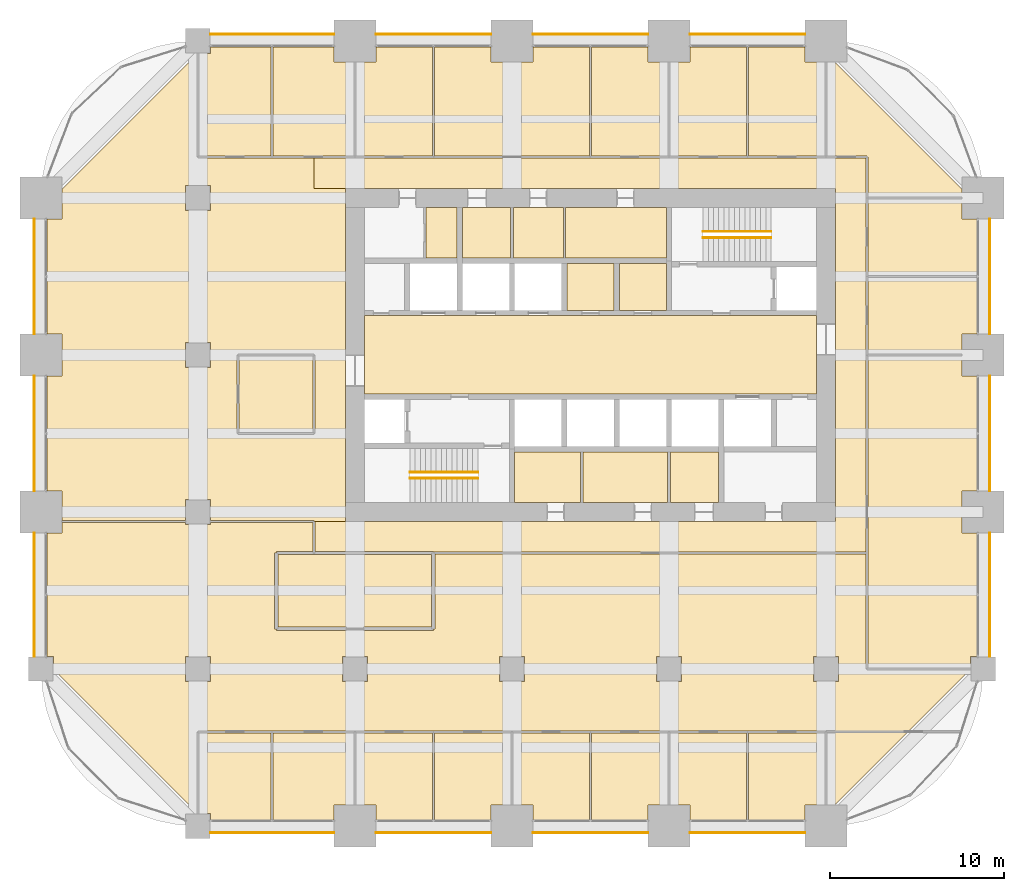
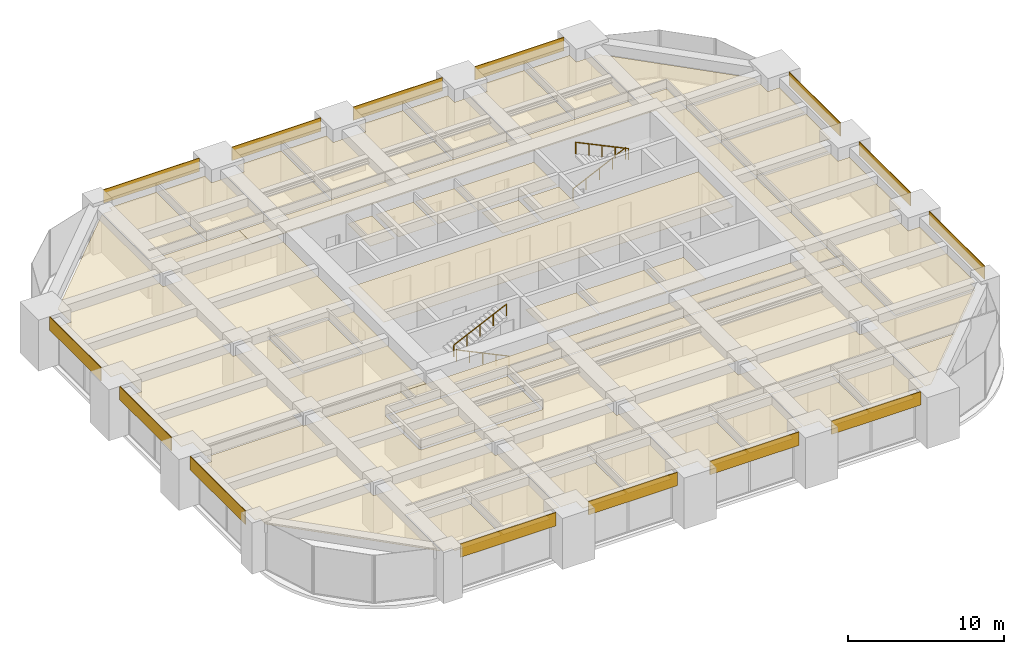
# One storey, part 33 of 33: 49 coverings, 4 railings.
"""IFC4 building model written with IfcOpenShell, lengths in metres."""

from ifc_helpers import new_model, si_unit, direction, frame, frame_2d, origin, origin_2d, place, context, subcontext, project, spatial, polyline, rectangle, circle, outline, extrude, material, layer, layer_set, type_object, element, save


model = new_model("IFC4")

# Units and contexts
model_context = context("Model", 3, precision=1e-05, world=origin(), true_north=direction((0.0, 1.0)))
body_context = subcontext(model_context, "Body", "Model", "MODEL_VIEW")
ifc_project = project(units=[si_unit("LENGTHUNIT", "METRE"), si_unit("AREAUNIT", "SQUARE_METRE"), si_unit("VOLUMEUNIT", "CUBIC_METRE"), si_unit("PLANEANGLEUNIT", "RADIAN"), si_unit("MASSUNIT", "GRAM", prefix="KILO")], contexts=[model_context])

# Site, building, storey
site_placement = place(None, origin())
site = spatial("IfcSite", under=ifc_project, at=site_placement, CompositionType="ELEMENT")
building_placement = place(site_placement, origin())
building = spatial("IfcBuilding", under=site, at=building_placement, Name="Zorevar Civic Tower", CompositionType="ELEMENT")
storey_placement = place(building_placement, frame((0.0, 0.0, 210.199951171875)))
storey = spatial("IfcBuildingStorey", under=building, at=storey_placement, Name="L51", CompositionType="ELEMENT", Elevation=210.199951171875)

# Railings
ifc_material_1 = material(Name="Black steel handrail", Category="steel")
railing_type = type_object("IfcRailingType", Name="Handrail HR1 900", PredefinedType="HANDRAIL", material=ifc_material_1)
railing_1_placement = place(storey_placement, frame((25.050048828125, 19.925048828125, 0.142822265625)))
element("IfcRailing", 1, at=railing_1_placement, inside=storey, type_object=railing_type, Name="Handrail HR1 ST1 L51", PredefinedType="HANDRAIL", context=body_context, shape_type="SweptSolid", body=[
    extrude(circle(Radius=0.02392578125, at=origin_2d()), frame((0.0, 0.0, 0.8759765625), z_axis=(-0.902863652845, 0.0, 0.429926998885), x_axis=(0.0, -1.0, 0.0)), (0.0, 0.0, 1.0), 4.31982421875),
    extrude(circle(Radius=0.02099609375, at=origin_2d()), origin(), (0.0, 0.0, 1.0), 0.851806640625),
    extrude(circle(Radius=0.02099609375, at=origin_2d()), frame((-0.97509765625, 0.0, 0.46435546875)), (0.0, 0.0, 1.0), 0.851806640625),
    extrude(circle(Radius=0.02099609375, at=origin_2d()), frame((-1.9501953125, 0.0, 0.9287109375)), (0.0, 0.0, 1.0), 0.851806640625),
    extrude(circle(Radius=0.02099609375, at=origin_2d()), frame((-2.925048828125, 0.0, 1.392822265625)), (0.0, 0.0, 1.0), 0.851806640625),
    extrude(circle(Radius=0.02099609375, at=origin_2d()), frame((-3.900146484375, 0.0, 1.857177734375)), (0.0, 0.0, 1.0), 0.851806640625),
])
for number, where, name in (
    (2, (21.14990234375, 20.27490234375, 2.142822265625), "Handrail HR1 ST1 L51"),
    (3, (37.949951171875, 34.074951171875, 0.142822265625), "Handrail HR1 ST2 L51"),
):
    element("IfcRailing", number, at=place(storey_placement, frame(where)), inside=storey, type_object=railing_type, Name=name, PredefinedType="HANDRAIL", context=body_context, shape_type="SweptSolid", body=[
        extrude(circle(Radius=0.02392578125, at=origin_2d()), frame((0.0, 0.0, 0.8759765625), z_axis=(0.902863652845, 0.0, 0.429926998885), x_axis=(0.0, 1.0, 0.0)), (0.0, 0.0, 1.0), 4.31982421875),
        extrude(circle(Radius=0.02099609375, at=origin_2d()), origin(), (0.0, 0.0, 1.0), 0.851806640625),
        extrude(circle(Radius=0.02099609375, at=origin_2d()), frame((0.97509765625, 0.0, 0.46435546875)), (0.0, 0.0, 1.0), 0.851806640625),
        extrude(circle(Radius=0.02099609375, at=origin_2d()), frame((1.9501953125, 0.0, 0.9287109375)), (0.0, 0.0, 1.0), 0.851806640625),
        extrude(circle(Radius=0.02099609375, at=origin_2d()), frame((2.925048828125, 0.0, 1.392822265625)), (0.0, 0.0, 1.0), 0.851806640625),
        extrude(circle(Radius=0.02099609375, at=origin_2d()), frame((3.900146484375, 0.0, 1.857177734375)), (0.0, 0.0, 1.0), 0.851806640625),
    ])
railing_2_placement = place(storey_placement, frame((41.85009765625, 33.72509765625, 2.142822265625)))
element("IfcRailing", 4, at=railing_2_placement, inside=storey, type_object=railing_type, Name="Handrail HR1 ST2 L51", PredefinedType="HANDRAIL", context=body_context, shape_type="SweptSolid", body=[
    extrude(circle(Radius=0.02392578125, at=origin_2d()), frame((0.0, 0.0, 0.8759765625), z_axis=(-0.902863652845, 0.0, 0.429926998885), x_axis=(0.0, -1.0, 0.0)), (0.0, 0.0, 1.0), 4.31982421875),
    extrude(circle(Radius=0.02099609375, at=origin_2d()), origin(), (0.0, 0.0, 1.0), 0.851806640625),
    extrude(circle(Radius=0.02099609375, at=origin_2d()), frame((-0.97509765625, 0.0, 0.46435546875)), (0.0, 0.0, 1.0), 0.851806640625),
    extrude(circle(Radius=0.02099609375, at=origin_2d()), frame((-1.9501953125, 0.0, 0.9287109375)), (0.0, 0.0, 1.0), 0.851806640625),
    extrude(circle(Radius=0.02099609375, at=origin_2d()), frame((-2.925048828125, 0.0, 1.392822265625)), (0.0, 0.0, 1.0), 0.851806640625),
    extrude(circle(Radius=0.02099609375, at=origin_2d()), frame((-3.900146484375, 0.0, 1.857177734375)), (0.0, 0.0, 1.0), 0.851806640625),
])

# Coverings
ifc_material_2 = material(Name="Moisture-resistant gypsum board")
ifc_layer_1 = layer(ifc_material_2, 0.012451171875)
ifc_layer_set_1 = layer_set([ifc_layer_1], Name="Moisture-resistant ceiling SC3")
covering_type_1 = type_object("IfcCoveringType", Name="Moisture-resistant ceiling SC3", PredefinedType="CEILING", material=ifc_layer_set_1)
covering_1_placement = place(storey_placement, frame((0.0, 0.0, 3.0)))
element("IfcCovering", 5, at=covering_1_placement, inside=storey, type_object=covering_type_1, Name="Ceiling L51-05", PredefinedType="CEILING", context=body_context, shape_type="SweptSolid", body=[
    extrude(outline(polyline([(30.925048828125, 18.550048828125), (30.925048828125, 21.449951171875), (27.14990234375, 21.449951171875), (27.14990234375, 18.550048828125), (30.925048828125, 18.550048828125)])), origin(), (0.0, 0.0, 1.0), 0.012451171875),
])
covering_2_placement = place(storey_placement, frame((0.0, 0.0, 3.0)))
element("IfcCovering", 6, at=covering_2_placement, inside=storey, type_object=covering_type_1, Name="Ceiling L51-06", PredefinedType="CEILING", context=body_context, shape_type="SweptSolid", body=[
    extrude(outline(polyline([(35.925048828125, 18.550048828125), (35.925048828125, 21.449951171875), (31.074951171875, 21.449951171875), (31.074951171875, 18.550048828125), (35.925048828125, 18.550048828125)])), origin(), (0.0, 0.0, 1.0), 0.012451171875),
])
covering_3_placement = place(storey_placement, frame((0.0, 0.0, 3.0)))
element("IfcCovering", 7, at=covering_3_placement, inside=storey, type_object=covering_type_1, Name="Ceiling L51-07", PredefinedType="CEILING", context=body_context, shape_type="SweptSolid", body=[
    extrude(outline(polyline([(38.85009765625, 18.550048828125), (38.85009765625, 21.449951171875), (36.074951171875, 21.449951171875), (36.074951171875, 18.550048828125), (38.85009765625, 18.550048828125)])), origin(), (0.0, 0.0, 1.0), 0.012451171875),
])
covering_4_placement = place(storey_placement, frame((0.0, 0.0, 3.0)))
element("IfcCovering", 8, at=covering_4_placement, inside=storey, type_object=covering_type_1, Name="Ceiling L51-10", PredefinedType="CEILING", context=body_context, shape_type="SweptSolid", body=[
    extrude(outline(polyline([(26.925048828125, 32.550048828125), (26.925048828125, 35.449951171875), (24.14990234375, 35.449951171875), (24.14990234375, 32.550048828125), (26.925048828125, 32.550048828125)])), origin(), (0.0, 0.0, 1.0), 0.012451171875),
])
ifc_material_3 = material(Name="Black anodised aluminium spandrel panel", Category="aluminium")
ifc_layer_2 = layer(ifc_material_3, 0.050048828125)
ifc_layer_set_2 = layer_set([ifc_layer_2], Name="Spandrel cladding SP1")
covering_type_2 = type_object("IfcCoveringType", Name="Spandrel cladding SP1", PredefinedType="CLADDING", material=ifc_layer_set_2)
covering_5_placement = place(storey_placement, frame((9.699951171875, -0.375, 2.949951171875), z_axis=(0.0, 0.0, 1.0), x_axis=(1.0, 0.0, 0.0)))
element("IfcCovering", 9, at=covering_5_placement, inside=storey, type_object=covering_type_2, Name="Spandrel cladding L52", PredefinedType="CLADDING", context=body_context, shape_type="SweptSolid", body=[
    extrude(rectangle(XDim=7.10009765625, YDim=0.050048828125, at=frame_2d((3.550048828125, 0.0))), origin(), (0.0, 0.0, 1.0), 1.050048828125),
])
for number, where, z_axis, x_axis, name in (
    (10, (19.199951171875, -0.375, 2.949951171875), (0.0, 0.0, 1.0), (1.0, 0.0, 0.0), "Spandrel cladding L52"),
    (11, (28.199951171875, -0.375, 2.949951171875), (0.0, 0.0, 1.0), (1.0, 0.0, 0.0), "Spandrel cladding L52"),
    (12, (37.199951171875, -0.375, 2.949951171875), (0.0, 0.0, 1.0), (1.0, 0.0, 0.0), "Spandrel cladding L52"),
):
    element("IfcCovering", number, at=place(storey_placement, frame(where, z_axis=z_axis, x_axis=x_axis)), inside=storey, type_object=covering_type_2, Name=name, PredefinedType="CLADDING", context=body_context, shape_type="SweptSolid", body=[
        extrude(rectangle(XDim=6.60009765625, YDim=0.050048828125, at=frame_2d((3.300048828125, 0.0))), origin(), (0.0, 0.0, 1.0), 1.050048828125),
    ])
covering_6_placement = place(storey_placement, frame((9.699951171875, 45.375, 2.949951171875), z_axis=(0.0, 0.0, 1.0), x_axis=(1.0, 0.0, 0.0)))
element("IfcCovering", 13, at=covering_6_placement, inside=storey, type_object=covering_type_2, Name="Spandrel cladding L52", PredefinedType="CLADDING", context=body_context, shape_type="SweptSolid", body=[
    extrude(rectangle(XDim=7.10009765625, YDim=0.050048828125, at=frame_2d((3.550048828125, 0.0))), origin(), (0.0, 0.0, 1.0), 1.050048828125),
])
for number, where, z_axis, x_axis, name in (
    (14, (19.199951171875, 45.375, 2.949951171875), (0.0, 0.0, 1.0), (1.0, 0.0, 0.0), "Spandrel cladding L52"),
    (15, (28.199951171875, 45.375, 2.949951171875), (0.0, 0.0, 1.0), (1.0, 0.0, 0.0), "Spandrel cladding L52"),
    (16, (37.199951171875, 45.375, 2.949951171875), (0.0, 0.0, 1.0), (1.0, 0.0, 0.0), "Spandrel cladding L52"),
):
    element("IfcCovering", number, at=place(storey_placement, frame(where, z_axis=z_axis, x_axis=x_axis)), inside=storey, type_object=covering_type_2, Name=name, PredefinedType="CLADDING", context=body_context, shape_type="SweptSolid", body=[
        extrude(rectangle(XDim=6.60009765625, YDim=0.050048828125, at=frame_2d((3.300048828125, 0.0))), origin(), (0.0, 0.0, 1.0), 1.050048828125),
    ])
covering_7_placement = place(storey_placement, frame((-0.375, 9.699951171875, 2.949951171875), z_axis=(0.0, 0.0, 1.0), x_axis=(0.0, 1.0, 0.0)))
element("IfcCovering", 17, at=covering_7_placement, inside=storey, type_object=covering_type_2, Name="Spandrel cladding L52", PredefinedType="CLADDING", context=body_context, shape_type="SweptSolid", body=[
    extrude(rectangle(XDim=7.10009765625, YDim=0.050048828125, at=frame_2d((3.550048828125, 0.0))), origin(), (0.0, 0.0, 1.0), 1.050048828125),
])
for number, where, z_axis, x_axis, name in (
    (18, (-0.375, 19.199951171875, 2.949951171875), (0.0, 0.0, 1.0), (0.0, 1.0, 0.0), "Spandrel cladding L52"),
    (19, (-0.375, 28.199951171875, 2.949951171875), (0.0, 0.0, 1.0), (0.0, 1.0, 0.0), "Spandrel cladding L52"),
):
    element("IfcCovering", number, at=place(storey_placement, frame(where, z_axis=z_axis, x_axis=x_axis)), inside=storey, type_object=covering_type_2, Name=name, PredefinedType="CLADDING", context=body_context, shape_type="SweptSolid", body=[
        extrude(rectangle(XDim=6.60009765625, YDim=0.050048828125, at=frame_2d((3.300048828125, 0.0))), origin(), (0.0, 0.0, 1.0), 1.050048828125),
    ])
covering_8_placement = place(storey_placement, frame((54.375, 9.699951171875, 2.949951171875), z_axis=(0.0, 0.0, 1.0), x_axis=(0.0, 1.0, 0.0)))
element("IfcCovering", 20, at=covering_8_placement, inside=storey, type_object=covering_type_2, Name="Spandrel cladding L52", PredefinedType="CLADDING", context=body_context, shape_type="SweptSolid", body=[
    extrude(rectangle(XDim=7.10009765625, YDim=0.050048828125, at=frame_2d((3.550048828125, 0.0))), origin(), (0.0, 0.0, 1.0), 1.050048828125),
])
for number, where, z_axis, x_axis, name in (
    (21, (54.375, 19.199951171875, 2.949951171875), (0.0, 0.0, 1.0), (0.0, 1.0, 0.0), "Spandrel cladding L52"),
    (22, (54.375, 28.199951171875, 2.949951171875), (0.0, 0.0, 1.0), (0.0, 1.0, 0.0), "Spandrel cladding L52"),
):
    element("IfcCovering", number, at=place(storey_placement, frame(where, z_axis=z_axis, x_axis=x_axis)), inside=storey, type_object=covering_type_2, Name=name, PredefinedType="CLADDING", context=body_context, shape_type="SweptSolid", body=[
        extrude(rectangle(XDim=6.60009765625, YDim=0.050048828125, at=frame_2d((3.300048828125, 0.0))), origin(), (0.0, 0.0, 1.0), 1.050048828125),
    ])
ifc_material_4 = material(Name="Mineral fibre tiles on a concealed grid")
ifc_layer_3 = layer(ifc_material_4, 0.02001953125)
ifc_layer_set_3 = layer_set([ifc_layer_3], Name="Suspended ceiling SC1")
covering_type_3 = type_object("IfcCoveringType", Name="Suspended ceiling SC1", PredefinedType="CEILING", material=ifc_layer_set_3)
covering_9_placement = place(storey_placement, frame((0.0, 0.0, 3.0)))
element("IfcCovering", 23, at=covering_9_placement, inside=storey, type_object=covering_type_3, Name="Ceiling L51-08", PredefinedType="CEILING", context=body_context, shape_type="SweptSolid", body=[
    extrude(outline(polyline([(35.85009765625, 32.550048828125), (35.85009765625, 35.449951171875), (30.06005859375, 35.449951171875), (30.06005859375, 32.550048828125), (35.85009765625, 32.550048828125)])), origin(), (0.0, 0.0, 1.0), 0.02001953125),
])
covering_10_placement = place(storey_placement, frame((0.0, 0.0, 3.0)))
element("IfcCovering", 24, at=covering_10_placement, inside=storey, type_object=covering_type_3, Name="Ceiling L51-09", PredefinedType="CEILING", context=body_context, shape_type="SweptSolid", body=[
    extrude(outline(polyline([(29.93994140625, 32.550048828125), (29.93994140625, 35.449951171875), (27.074951171875, 35.449951171875), (27.074951171875, 32.550048828125), (29.93994140625, 32.550048828125)])), origin(), (0.0, 0.0, 1.0), 0.02001953125),
])
covering_11_placement = place(storey_placement, frame((0.0, 0.0, 3.0)))
element("IfcCovering", 25, at=covering_11_placement, inside=storey, type_object=covering_type_3, Name="Ceiling L51-12", PredefinedType="CEILING", context=body_context, shape_type="SweptSolid", body=[
    extrude(outline(polyline([(23.85009765625, 32.550048828125), (23.85009765625, 35.449951171875), (22.06005859375, 35.449951171875), (22.06005859375, 32.550048828125), (23.85009765625, 32.550048828125)])), origin(), (0.0, 0.0, 1.0), 0.02001953125),
])
covering_12_placement = place(storey_placement, frame((0.0, 0.0, 3.0)))
element("IfcCovering", 26, at=covering_12_placement, inside=storey, type_object=covering_type_3, Name="Ceiling L51-16", PredefinedType="CEILING", context=body_context, shape_type="SweptSolid", body=[
    extrude(outline(polyline([(44.449951171875, 24.75), (44.449951171875, 29.25), (18.550048828125, 29.25), (18.550048828125, 24.75), (44.449951171875, 24.75)])), origin(), (0.0, 0.0, 1.0), 0.02001953125),
])
covering_13_placement = place(storey_placement, frame((0.0, 0.0, 3.0)))
element("IfcCovering", 27, at=covering_13_placement, inside=storey, type_object=covering_type_3, Name="Ceiling L51-17", PredefinedType="CEILING", context=body_context, shape_type="SweptSolid", body=[
    extrude(outline(polyline([(35.85009765625, 29.550048828125), (35.85009765625, 32.25), (33.14990234375, 32.25), (33.14990234375, 29.550048828125), (35.85009765625, 29.550048828125)])), origin(), (0.0, 0.0, 1.0), 0.02001953125),
])
covering_14_placement = place(storey_placement, frame((0.0, 0.0, 3.0)))
element("IfcCovering", 28, at=covering_14_placement, inside=storey, type_object=covering_type_3, Name="Ceiling L51-18", PredefinedType="CEILING", context=body_context, shape_type="SweptSolid", body=[
    extrude(outline(polyline([(32.85009765625, 29.550048828125), (32.85009765625, 32.25), (30.14990234375, 32.25), (30.14990234375, 29.550048828125), (32.85009765625, 29.550048828125)])), origin(), (0.0, 0.0, 1.0), 0.02001953125),
])
covering_15_placement = place(storey_placement, frame((0.0, 0.0, 3.0)))
element("IfcCovering", 29, at=covering_15_placement, inside=storey, type_object=covering_type_3, Name="Ceiling L51-19", PredefinedType="CEILING", context=body_context, shape_type="SweptSolid", body=[
    extrude(outline(polyline([(53.64990234375, 19.2099609375), (52.7900390625, 19.2099609375), (52.7900390625, 16.7900390625), (53.64990234375, 16.7900390625), (53.64990234375, 9.7099609375), (53.2900390625, 9.7099609375), (53.2900390625, 9.06005859375), (47.409912109375, 9.06005859375), (47.409912109375, 26.93994140625), (52.7900390625, 26.93994140625), (52.7900390625, 25.7900390625), (53.64990234375, 25.7900390625), (53.64990234375, 19.2099609375)])), origin(), (0.0, 0.0, 1.0), 0.02001953125),
])
covering_16_placement = place(storey_placement, frame((0.0, 0.0, 3.0)))
element("IfcCovering", 30, at=covering_16_placement, inside=storey, type_object=covering_type_3, Name="Ceiling L51-20", PredefinedType="CEILING", context=body_context, shape_type="SweptSolid", body=[
    extrude(outline(polyline([(47.409912109375, 31.43994140625), (53.64990234375, 31.43994140625), (53.64990234375, 28.2099609375), (52.7900390625, 28.2099609375), (52.7900390625, 27.06005859375), (47.409912109375, 27.06005859375), (47.409912109375, 31.43994140625)])), origin(), (0.0, 0.0, 1.0), 0.02001953125),
])
covering_17_placement = place(storey_placement, frame((0.0, 0.0, 3.0)))
element("IfcCovering", 31, at=covering_17_placement, inside=storey, type_object=covering_type_3, Name="Ceiling L51-21", PredefinedType="CEILING", context=body_context, shape_type="SweptSolid", body=[
    extrude(outline(polyline([(47.409912109375, 35.93994140625), (52.7900390625, 35.93994140625), (52.7900390625, 34.7900390625), (53.64990234375, 34.7900390625), (53.64990234375, 31.56005859375), (47.409912109375, 31.56005859375), (47.409912109375, 35.93994140625)])), origin(), (0.0, 0.0, 1.0), 0.02001953125),
])
covering_18_placement = place(storey_placement, frame((0.0, 0.0, 3.0)))
element("IfcCovering", 32, at=covering_18_placement, inside=storey, type_object=covering_type_3, Name="Ceiling L51-22", PredefinedType="CEILING", context=body_context, shape_type="SweptSolid", body=[
    extrude(outline(polyline([(13.18994140625, 5.340087890625), (13.18994140625, 0.35009765625), (9.7099609375, 0.35009765625), (9.7099609375, 0.7099609375), (9.06005859375, 0.7099609375), (9.06005859375, 5.340087890625), (13.18994140625, 5.340087890625)])), origin(), (0.0, 0.0, 1.0), 0.02001953125),
])
covering_19_placement = place(storey_placement, frame((0.0, 0.0, 3.0)))
element("IfcCovering", 33, at=covering_19_placement, inside=storey, type_object=covering_type_3, Name="Ceiling L51-23", PredefinedType="CEILING", context=body_context, shape_type="SweptSolid", body=[
    extrude(outline(polyline([(17.93994140625, 5.340087890625), (17.93994140625, 1.2099609375), (16.7900390625, 1.2099609375), (16.7900390625, 0.35009765625), (13.31005859375, 0.35009765625), (13.31005859375, 5.340087890625), (17.93994140625, 5.340087890625)])), origin(), (0.0, 0.0, 1.0), 0.02001953125),
])
covering_20_placement = place(storey_placement, frame((0.0, 0.0, 3.0)))
element("IfcCovering", 34, at=covering_20_placement, inside=storey, type_object=covering_type_3, Name="Ceiling L51-24", PredefinedType="CEILING", context=body_context, shape_type="SweptSolid", body=[
    extrude(outline(polyline([(22.43994140625, 5.340087890625), (22.43994140625, 0.35009765625), (19.2099609375, 0.35009765625), (19.2099609375, 1.2099609375), (18.06005859375, 1.2099609375), (18.06005859375, 5.340087890625), (22.43994140625, 5.340087890625)])), origin(), (0.0, 0.0, 1.0), 0.02001953125),
])
covering_21_placement = place(storey_placement, frame((0.0, 0.0, 3.0)))
element("IfcCovering", 35, at=covering_21_placement, inside=storey, type_object=covering_type_3, Name="Ceiling L51-25", PredefinedType="CEILING", context=body_context, shape_type="SweptSolid", body=[
    extrude(outline(polyline([(26.93994140625, 5.340087890625), (26.93994140625, 1.2099609375), (25.7900390625, 1.2099609375), (25.7900390625, 0.35009765625), (22.56005859375, 0.35009765625), (22.56005859375, 5.340087890625), (26.93994140625, 5.340087890625)])), origin(), (0.0, 0.0, 1.0), 0.02001953125),
])
covering_22_placement = place(storey_placement, frame((0.0, 0.0, 3.0)))
element("IfcCovering", 36, at=covering_22_placement, inside=storey, type_object=covering_type_3, Name="Ceiling L51-26", PredefinedType="CEILING", context=body_context, shape_type="SweptSolid", body=[
    extrude(outline(polyline([(31.43994140625, 5.340087890625), (31.43994140625, 0.35009765625), (28.2099609375, 0.35009765625), (28.2099609375, 1.2099609375), (27.06005859375, 1.2099609375), (27.06005859375, 5.340087890625), (31.43994140625, 5.340087890625)])), origin(), (0.0, 0.0, 1.0), 0.02001953125),
])
covering_23_placement = place(storey_placement, frame((0.0, 0.0, 3.0)))
element("IfcCovering", 37, at=covering_23_placement, inside=storey, type_object=covering_type_3, Name="Ceiling L51-27", PredefinedType="CEILING", context=body_context, shape_type="SweptSolid", body=[
    extrude(outline(polyline([(35.93994140625, 5.340087890625), (35.93994140625, 1.2099609375), (34.7900390625, 1.2099609375), (34.7900390625, 0.35009765625), (31.56005859375, 0.35009765625), (31.56005859375, 5.340087890625), (35.93994140625, 5.340087890625)])), origin(), (0.0, 0.0, 1.0), 0.02001953125),
])
covering_24_placement = place(storey_placement, frame((0.0, 0.0, 3.0)))
element("IfcCovering", 38, at=covering_24_placement, inside=storey, type_object=covering_type_3, Name="Ceiling L51-28", PredefinedType="CEILING", context=body_context, shape_type="SweptSolid", body=[
    extrude(outline(polyline([(40.43994140625, 5.340087890625), (40.43994140625, 0.35009765625), (37.2099609375, 0.35009765625), (37.2099609375, 1.2099609375), (36.06005859375, 1.2099609375), (36.06005859375, 5.340087890625), (40.43994140625, 5.340087890625)])), origin(), (0.0, 0.0, 1.0), 0.02001953125),
])
covering_25_placement = place(storey_placement, frame((0.0, 0.0, 3.0)))
element("IfcCovering", 39, at=covering_25_placement, inside=storey, type_object=covering_type_3, Name="Ceiling L51-29", PredefinedType="CEILING", context=body_context, shape_type="SweptSolid", body=[
    extrude(outline(polyline([(44.93994140625, 5.340087890625), (44.93994140625, 1.2099609375), (43.7900390625, 1.2099609375), (43.7900390625, 0.35009765625), (40.56005859375, 0.35009765625), (40.56005859375, 5.340087890625), (44.93994140625, 5.340087890625)])), origin(), (0.0, 0.0, 1.0), 0.02001953125),
])
covering_26_placement = place(storey_placement, frame((0.0, 0.0, 3.0)))
element("IfcCovering", 40, at=covering_26_placement, inside=storey, type_object=covering_type_3, Name="Ceiling L51-30", PredefinedType="CEILING", context=body_context, shape_type="SweptSolid", body=[
    extrude(outline(polyline([(9.06005859375, 38.409912109375), (9.06005859375, 44.2900390625), (9.7099609375, 44.2900390625), (9.7099609375, 44.64990234375), (13.18994140625, 44.64990234375), (13.18994140625, 38.409912109375), (9.06005859375, 38.409912109375)])), origin(), (0.0, 0.0, 1.0), 0.02001953125),
])
covering_27_placement = place(storey_placement, frame((0.0, 0.0, 3.0)))
element("IfcCovering", 41, at=covering_27_placement, inside=storey, type_object=covering_type_3, Name="Ceiling L51-31", PredefinedType="CEILING", context=body_context, shape_type="SweptSolid", body=[
    extrude(outline(polyline([(13.31005859375, 38.409912109375), (13.31005859375, 44.64990234375), (16.7900390625, 44.64990234375), (16.7900390625, 43.7900390625), (17.93994140625, 43.7900390625), (17.93994140625, 38.409912109375), (13.31005859375, 38.409912109375)])), origin(), (0.0, 0.0, 1.0), 0.02001953125),
])
covering_28_placement = place(storey_placement, frame((0.0, 0.0, 3.0)))
element("IfcCovering", 42, at=covering_28_placement, inside=storey, type_object=covering_type_3, Name="Ceiling L51-32", PredefinedType="CEILING", context=body_context, shape_type="SweptSolid", body=[
    extrude(outline(polyline([(18.06005859375, 38.409912109375), (18.06005859375, 43.7900390625), (19.2099609375, 43.7900390625), (19.2099609375, 44.64990234375), (22.43994140625, 44.64990234375), (22.43994140625, 38.409912109375), (18.06005859375, 38.409912109375)])), origin(), (0.0, 0.0, 1.0), 0.02001953125),
])
covering_29_placement = place(storey_placement, frame((0.0, 0.0, 3.0)))
element("IfcCovering", 43, at=covering_29_placement, inside=storey, type_object=covering_type_3, Name="Ceiling L51-33", PredefinedType="CEILING", context=body_context, shape_type="SweptSolid", body=[
    extrude(outline(polyline([(31.56005859375, 38.409912109375), (31.56005859375, 44.64990234375), (34.7900390625, 44.64990234375), (34.7900390625, 43.7900390625), (35.93994140625, 43.7900390625), (35.93994140625, 38.409912109375), (31.56005859375, 38.409912109375)])), origin(), (0.0, 0.0, 1.0), 0.02001953125),
])
covering_30_placement = place(storey_placement, frame((0.0, 0.0, 3.0)))
element("IfcCovering", 44, at=covering_30_placement, inside=storey, type_object=covering_type_3, Name="Ceiling L51-34", PredefinedType="CEILING", context=body_context, shape_type="SweptSolid", body=[
    extrude(outline(polyline([(36.06005859375, 38.409912109375), (36.06005859375, 43.7900390625), (37.2099609375, 43.7900390625), (37.2099609375, 44.64990234375), (40.43994140625, 44.64990234375), (40.43994140625, 38.409912109375), (36.06005859375, 38.409912109375)])), origin(), (0.0, 0.0, 1.0), 0.02001953125),
])
covering_31_placement = place(storey_placement, frame((0.0, 0.0, 3.0)))
element("IfcCovering", 45, at=covering_31_placement, inside=storey, type_object=covering_type_3, Name="Ceiling L51-35", PredefinedType="CEILING", context=body_context, shape_type="SweptSolid", body=[
    extrude(outline(polyline([(40.56005859375, 38.409912109375), (40.56005859375, 44.64990234375), (43.7900390625, 44.64990234375), (43.7900390625, 43.7900390625), (44.93994140625, 43.7900390625), (44.93994140625, 38.409912109375), (40.56005859375, 38.409912109375)])), origin(), (0.0, 0.0, 1.0), 0.02001953125),
])
covering_32_placement = place(storey_placement, frame((0.0, 0.0, 3.0)))
element("IfcCovering", 46, at=covering_32_placement, inside=storey, type_object=covering_type_3, Name="Ceiling L51-36", PredefinedType="CEILING", context=body_context, shape_type="SweptSolid", body=[
    extrude(outline(polyline([(22.39990234375, 15.550048828125), (22.39990234375, 11.39990234375), (13.60009765625, 11.39990234375), (13.60009765625, 15.550048828125), (22.39990234375, 15.550048828125)])), origin(), (0.0, 0.0, 1.0), 0.02001953125),
])
covering_33_placement = place(storey_placement, frame((0.0, 0.0, 3.0)))
element("IfcCovering", 47, at=covering_33_placement, inside=storey, type_object=covering_type_3, Name="Ceiling L51-37", PredefinedType="CEILING", context=body_context, shape_type="SweptSolid", body=[
    extrude(outline(polyline([(11.360107421875, 26.93994140625), (15.590087890625, 26.93994140625), (15.590087890625, 22.56005859375), (11.360107421875, 22.56005859375), (11.360107421875, 26.93994140625)])), origin(), (0.0, 0.0, 1.0), 0.02001953125),
])
covering_34_placement = place(storey_placement, frame((0.0, 0.0, 3.0)))
element("IfcCovering", 48, at=covering_34_placement, inside=storey, type_object=covering_type_3, Name="Ceiling L51-38", PredefinedType="CEILING", context=body_context, shape_type="SweptSolid", body=[
    extrude(outline(polyline([(45.06005859375, 1.2099609375), (45.06005859375, 5.35009765625), (49.642822265625, 5.35009765625), (45.5029296875, 1.2099609375), (45.06005859375, 1.2099609375)])), origin(), (0.0, 0.0, 1.0), 0.02001953125),
])
covering_35_placement = place(storey_placement, frame((0.0, 0.0, 3.0)))
element("IfcCovering", 49, at=covering_35_placement, inside=storey, type_object=covering_type_3, Name="Ceiling L51-39", PredefinedType="CEILING", context=body_context, shape_type="SweptSolid", body=[
    extrude(outline(polyline([(15.64990234375, 38.2900390625), (22.5, 38.2900390625), (22.5, 38.300048828125), (31.5, 38.300048828125), (31.5, 38.2900390625), (45.0, 38.2900390625), (45.0, 38.300048828125), (47.300048828125, 38.300048828125), (47.300048828125, 36.0), (47.2900390625, 36.0), (47.2900390625, 15.699951171875), (22.5, 15.699951171875), (22.5, 15.75), (15.699951171875, 15.75), (15.699951171875, 17.449951171875), (45.550048828125, 17.449951171875), (45.550048828125, 36.550048828125), (15.64990234375, 36.550048828125), (15.64990234375, 38.2900390625)])), origin(), (0.0, 0.0, 1.0), 0.02001953125),
])
covering_36_placement = place(storey_placement, frame((0.0, 0.0, 3.0)))
element("IfcCovering", 50, at=covering_36_placement, inside=storey, type_object=covering_type_3, Name="Ceiling L51-40", PredefinedType="CEILING", context=body_context, shape_type="SweptSolid", body=[
    extrude(outline(polyline([(22.56005859375, 44.64990234375), (25.7900390625, 44.64990234375), (25.7900390625, 43.7900390625), (28.2099609375, 43.7900390625), (28.2099609375, 44.64990234375), (31.43994140625, 44.64990234375), (31.43994140625, 38.39990234375), (22.56005859375, 38.39990234375), (22.56005859375, 44.64990234375)])), origin(), (0.0, 0.0, 1.0), 0.02001953125),
])
covering_37_placement = place(storey_placement, frame((0.0, 0.0, 3.0)))
element("IfcCovering", 51, at=covering_37_placement, inside=storey, type_object=covering_type_3, Name="Ceiling L51-41", PredefinedType="CEILING", context=body_context, shape_type="SweptSolid", body=[
    extrude(outline(polyline([(47.3505859375, 38.40087890625), (45.06103515625, 38.40087890625), (45.06103515625, 43.7900390625), (45.5029296875, 43.7900390625), (52.7900390625, 36.5029296875), (52.7900390625, 36.06005859375), (47.39990234375, 36.06005859375), (47.40087890625, 38.35009765625), (47.35107421875, 38.35107421875), (47.3505859375, 38.40087890625)])), origin(), (0.0, 0.0, 1.0), 0.02001953125),
])
covering_38_placement = place(storey_placement, frame((0.0, 0.0, 3.0)))
element("IfcCovering", 52, at=covering_38_placement, inside=storey, type_object=covering_type_3, Name="Ceiling L51-42", PredefinedType="CEILING", context=body_context, shape_type="SweptSolid", body=[
    extrude(outline(polyline([(47.34912109375, 8.9990234375), (47.35009765625, 8.93896484375), (53.23193359375, 8.93896484375), (49.743896484375, 5.450927734375), (45.0009765625, 5.450927734375), (45.0, 5.4609375), (9.0009765625, 5.4599609375), (9.0, 5.39990234375), (8.93994140625, 5.39892578125), (8.93994140625, 0.76708984375), (0.7099609375, 8.9970703125), (0.7099609375, 9.7099609375), (0.35009765625, 9.7099609375), (0.35009765625, 16.7900390625), (1.2099609375, 16.7900390625), (1.2099609375, 17.39990234375), (8.2900390625, 17.39990234375), (8.2900390625, 17.2900390625), (9.7099609375, 17.2900390625), (9.7099609375, 17.39990234375), (15.60009765625, 17.39990234375), (15.60009765625, 15.75), (13.500732421875, 15.75), (13.5, 15.64990234375), (13.39990234375, 15.64892578125), (13.39990234375, 11.301025390625), (13.5, 11.300048828125), (13.5009765625, 11.199951171875), (22.49951171875, 11.2001953125), (22.5, 11.300048828125), (22.60009765625, 11.301025390625), (22.60009765625, 15.60009765625), (47.2890625, 15.59912109375), (47.2890625, 8.99951171875), (47.34912109375, 8.9990234375)]), holes=[polyline([(9.7099609375, 9.7099609375), (8.2900390625, 9.7099609375), (8.2900390625, 8.2900390625), (9.7099609375, 8.2900390625), (9.7099609375, 9.7099609375)]), polyline([(17.2900390625, 8.2900390625), (18.7099609375, 8.2900390625), (18.7099609375, 9.7099609375), (17.2900390625, 9.7099609375), (17.2900390625, 8.2900390625)]), polyline([(26.2900390625, 9.7099609375), (26.2900390625, 8.2900390625), (27.7099609375, 8.2900390625), (27.7099609375, 9.7099609375), (26.2900390625, 9.7099609375)]), polyline([(36.7099609375, 9.7099609375), (35.2900390625, 9.7099609375), (35.2900390625, 8.2900390625), (36.7099609375, 8.2900390625), (36.7099609375, 9.7099609375)]), polyline([(45.7099609375, 8.2900390625), (45.7099609375, 9.7099609375), (44.2900390625, 9.7099609375), (44.2900390625, 8.2900390625), (45.7099609375, 8.2900390625)])]), origin(), (0.0, 0.0, 1.0), 0.02001953125),
])
covering_39_placement = place(storey_placement, frame((0.0, 0.0, 3.0)))
element("IfcCovering", 53, at=covering_39_placement, inside=storey, type_object=covering_type_3, Name="Ceiling L51-43", PredefinedType="CEILING", context=body_context, shape_type="SweptSolid", body=[
    extrude(outline(polyline([(8.93994140625, 38.35107421875), (9.0, 38.35009765625), (9.000244140625, 38.290283203125), (15.64990234375, 38.2900390625), (15.650390625, 36.54931640625), (17.448974609375, 36.549072265625), (17.448974609375, 17.450927734375), (15.65087890625, 17.450927734375), (15.64990234375, 17.5009765625), (9.7099609375, 17.5009765625), (9.7099609375, 18.7099609375), (8.2900390625, 18.7099609375), (8.2900390625, 17.5009765625), (1.2099609375, 17.5009765625), (1.2099609375, 19.2099609375), (0.35107421875, 19.2099609375), (0.35107421875, 25.7900390625), (1.2099609375, 25.7900390625), (1.2099609375, 28.2099609375), (0.35107421875, 28.2099609375), (0.35107421875, 34.7900390625), (1.2099609375, 34.7900390625), (1.2099609375, 36.5029296875), (8.93994140625, 44.23291015625), (8.93994140625, 38.35107421875)]), holes=[polyline([(15.650634765625, 27.060791015625), (11.300048828125, 27.06103515625), (11.299072265625, 27.0009765625), (11.2392578125, 27.000732421875), (11.2392578125, 22.499267578125), (11.299072265625, 22.4990234375), (11.300048828125, 22.43896484375), (15.64990234375, 22.43896484375), (15.65087890625, 22.4990234375), (15.710693359375, 22.499267578125), (15.7109375, 27.0), (15.65087890625, 27.0009765625), (15.650634765625, 27.060791015625)]), polyline([(9.7099609375, 26.2900390625), (9.7099609375, 27.7099609375), (8.2900390625, 27.7099609375), (8.2900390625, 26.2900390625), (9.7099609375, 26.2900390625)]), polyline([(8.2900390625, 35.2900390625), (9.7099609375, 35.2900390625), (9.7099609375, 36.7099609375), (8.2900390625, 36.7099609375), (8.2900390625, 35.2900390625)])]), origin(), (0.0, 0.0, 1.0), 0.02001953125),
])

save(model, "model.ifc")
